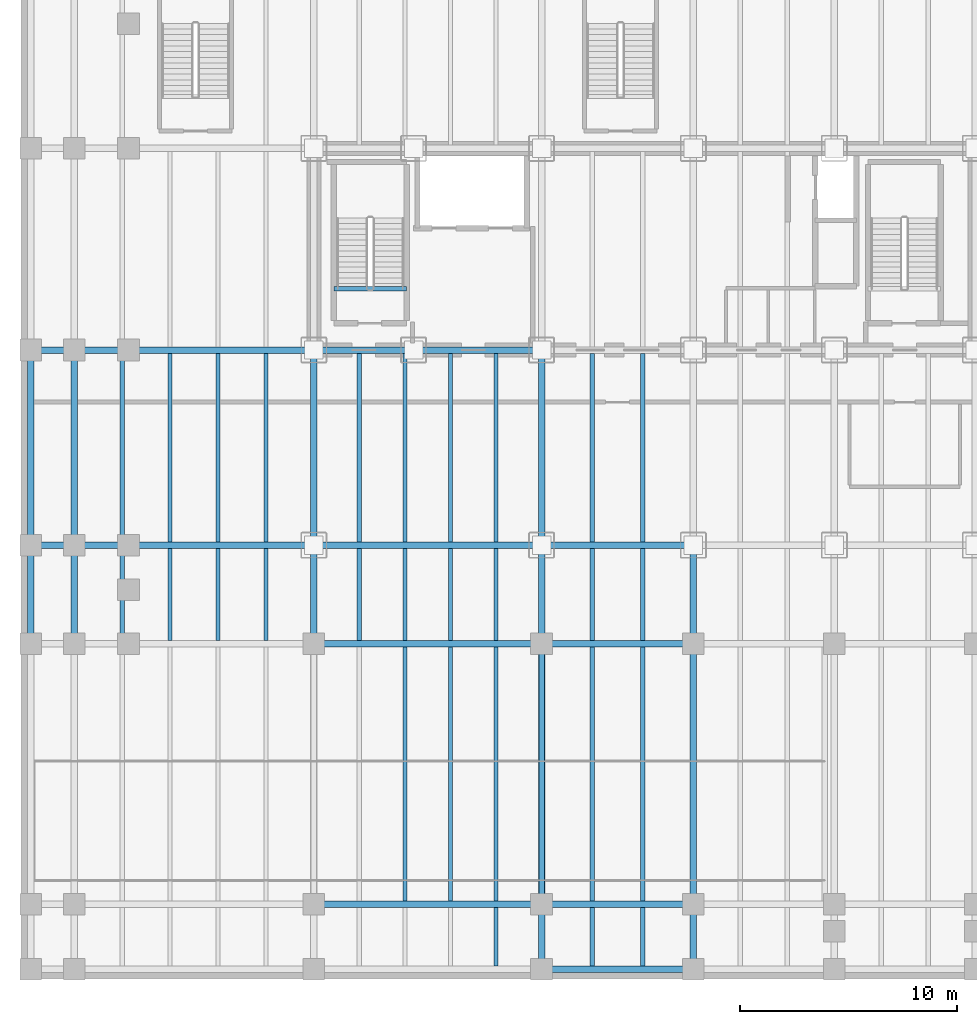
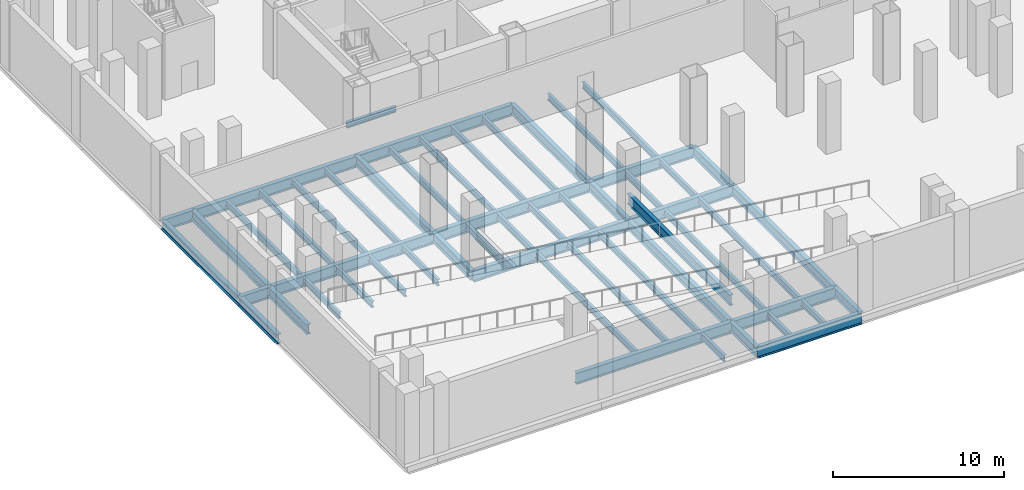
# One storey, part 2 of 18: 55 beams.
"""IFC4 building model written with IfcOpenShell, lengths in metres."""

import ifcopenshell
import ifcopenshell.guid

model = None  # the IFC model being written
_history = None  # IfcOwnerHistory: only IFC2X3 demands one
_inside = {}  # id of a spatial element -> (the spatial element, [elements in it])
_under = {}  # id of a project, library or spatial element -> (it, [spatial elements below it])
_declared = {}  # id of a project -> (the project, [libraries it declares])
_typed = {}  # id of a type object -> (the type object, [elements of that type])
_made_of = {}  # id of a material, layer set ... -> (it, [elements and type objects made of it])


def new_model(schema):
    """Start an empty IFC model of exactly this schema.

    Asked for "IFC4X3", IfcOpenShell would pick the latest addendum, in which some entities
    have other attributes; the version numbers below select the first issue.
    IFC2X3 requires an IfcOwnerHistory on every rooted entity: one is made here for all.
    """
    global model, _history
    if schema == "IFC4X3":
        model = ifcopenshell.file(schema_version=(4, 3, 0, 0))
    else:
        model = ifcopenshell.file(schema=schema)
    _inside.clear()
    _under.clear()
    _declared.clear()
    _typed.clear()
    _made_of.clear()
    _history = None
    if model.schema == "IFC2X3":
        org = make("IfcOrganization", Name="unknown")
        user = make(
            "IfcPersonAndOrganization",
            ThePerson=make("IfcPerson", FamilyName="unknown"),
            TheOrganization=org,
        )
        app = make(
            "IfcApplication",
            ApplicationDeveloper=org,
            Version="unknown",
            ApplicationFullName="unknown",
            ApplicationIdentifier="unknown",
        )
        _history = make(
            "IfcOwnerHistory",
            OwningUser=user,
            OwningApplication=app,
            ChangeAction="ADDED",
            CreationDate=0,
        )
    return model


def make(cls, **values):
    """One entity of the class cls with the attributes given. An attribute that is None is left unset."""
    return model.create_entity(
        cls, **{name: value for name, value in values.items() if value is not None}
    )


def rooted(cls, **values):
    """An entity with a GlobalId (a new one), such as an element, a storey or a relation."""
    return make(cls, GlobalId=ifcopenshell.guid.new(), OwnerHistory=_history, **values)


def si_unit(unit_type, name, prefix=None):
    """IfcSIUnit, for example si_unit("LENGTHUNIT", "METRE", prefix="MILLI")."""
    return make("IfcSIUnit", UnitType=unit_type, Prefix=prefix, Name=name)


def assignment(units):
    """IfcUnitAssignment: the units of a project."""
    return None if units is None else make("IfcUnitAssignment", Units=units)


def point(xyz):
    """IfcCartesianPoint."""
    return None if xyz is None else make("IfcCartesianPoint", Coordinates=xyz)


def direction(xyz):
    """IfcDirection."""
    return None if xyz is None else make("IfcDirection", DirectionRatios=xyz)


def frame(location, z_axis=None, x_axis=None):
    """IfcAxis2Placement3D, a coordinate frame: its origin and axes. An axis left out is left unset."""
    return make(
        "IfcAxis2Placement3D",
        Location=point(location),
        Axis=direction(z_axis),
        RefDirection=direction(x_axis),
    )


def frame_2d(location, x_axis=None):
    """IfcAxis2Placement2D, a coordinate frame in the plane: its origin and x axis."""
    return make(
        "IfcAxis2Placement2D", Location=point(location), RefDirection=direction(x_axis)
    )


def origin():
    """The frame at (0, 0, 0) with its axes left unset."""
    return frame((0.0, 0.0, 0.0))


def origin_2d():
    """The frame at (0, 0) in the plane with its x axis left unset."""
    return frame_2d((0.0, 0.0))


def place(relative_to, where):
    """IfcLocalPlacement: puts the frame where relative to a parent placement (None: the world)."""
    return make(
        "IfcLocalPlacement", PlacementRelTo=relative_to, RelativePlacement=where
    )


def context(
    kind, dimensions, precision=None, world=None, true_north=None, identifier=None
):
    """IfcGeometricRepresentationContext, for example the 3D "Model" context."""
    return make(
        "IfcGeometricRepresentationContext",
        ContextIdentifier=identifier,
        ContextType=kind,
        CoordinateSpaceDimension=dimensions,
        Precision=precision,
        WorldCoordinateSystem=world,
        TrueNorth=true_north,
    )


def subcontext(parent, identifier, kind, view, scale=None):
    """IfcGeometricRepresentationSubContext, for example "Body" below "Model"."""
    return make(
        "IfcGeometricRepresentationSubContext",
        ContextIdentifier=identifier,
        ContextType=kind,
        ParentContext=parent,
        TargetScale=scale,
        TargetView=view,
    )


def project(units=None, contexts=None):
    """IfcProject with its units and contexts."""
    return rooted(
        "IfcProject",
        Name="project",
        RepresentationContexts=contexts,
        UnitsInContext=assignment(units),
    )


def spatial(cls, under=None, at=None, **own):
    """A site, building, storey or space (cls), placed at a placement, below another one or the project."""
    s = rooted(cls, ObjectPlacement=at, **own)
    if under is not None:
        _under.setdefault(under.id(), (under, []))[1].append(s)
    return s


def profile(cls, at=None, kind="AREA", **sizes):
    """A parametric profile (cls). Its sizes go by their IFC names, for example OverallWidth=200.0."""
    return make(cls, ProfileType=kind, Position=at, **sizes)


def i_section(**sizes):
    """IfcIShapeProfileDef."""
    return profile("IfcIShapeProfileDef", **sizes)


def extrude(swept, where, along, depth):
    """IfcExtrudedAreaSolid: the profile swept, set in the frame where, extruded along a direction by depth."""
    return make(
        "IfcExtrudedAreaSolid",
        SweptArea=swept,
        Position=where,
        ExtrudedDirection=direction(along),
        Depth=depth,
    )


def shape(context_of_items, identifier, shape_type, items):
    """IfcShapeRepresentation: the items that make up one representation, for example the "Body"."""
    return make(
        "IfcShapeRepresentation",
        ContextOfItems=context_of_items,
        RepresentationIdentifier=identifier,
        RepresentationType=shape_type,
        Items=items,
    )


def material(Name=None, Category=None):
    """IfcMaterial."""
    return make("IfcMaterial", Name=Name, Category=Category)


def material_profile(
    of_material, cross_section, Name=None, Category=None, Priority=None
):
    """IfcMaterialProfile: a cross section and its material."""
    return make(
        "IfcMaterialProfile",
        Name=Name,
        Material=of_material,
        Profile=cross_section,
        Priority=Priority,
        Category=Category,
    )


def profile_set(profiles, Name=None, composite=None):
    """IfcMaterialProfileSet."""
    return make(
        "IfcMaterialProfileSet",
        Name=Name,
        MaterialProfiles=profiles,
        CompositeProfile=composite,
    )


def made_of(thing, what):
    """Note that an element or type object is made of a material, layer set ...; save() writes the relation."""
    if what is not None:
        _made_of.setdefault(what.id(), (what, []))[1].append(thing)
    return thing


def type_object(cls, material=None, **own):
    """A type object (cls), such as IfcWallType, which elements share."""
    return made_of(rooted(cls, **own), material)


def element(
    cls,
    number,
    at=None,
    inside=None,
    cuts=None,
    type_object=None,
    material=None,
    context=None,
    identifier="Body",
    shape_type=None,
    held_by="IfcProductDefinitionShape",
    body=None,
    shapes=None,
    **own,
):
    """One element of the class cls, such as IfcWall. Its Tag is "e" and its number.

    at: its placement. inside: the storey or other place that contains it. cuts: it is an
    opening in that element (IfcRelVoidsElement). A single representation is given by context,
    identifier, shape_type and body (its items); several are given by shapes. held_by: the class
    of the entity that holds the representations. save() writes the other relations.
    """
    e = rooted(cls, Tag="e%d" % number, ObjectPlacement=at, **own)
    if body is not None:
        shapes = [shape(context, identifier, shape_type, body)]
    if shapes is not None:
        e.Representation = make(held_by, Representations=shapes)
    if inside is not None:
        _inside.setdefault(inside.id(), (inside, []))[1].append(e)
    if cuts is not None:
        rooted(
            "IfcRelVoidsElement", RelatingBuildingElement=cuts, RelatedOpeningElement=e
        )
    if type_object is not None:
        _typed.setdefault(type_object.id(), (type_object, []))[1].append(e)
    return made_of(e, material)


def aggregate(whole, parts):
    """IfcRelAggregates: a whole, such as a stair, and the parts it consists of."""
    return rooted("IfcRelAggregates", RelatingObject=whole, RelatedObjects=parts)


def save(model, path):
    """Write the relations noted so far, then the file.

    IfcRelAggregates (storeys below a building ...), IfcRelContainedInSpatialStructure (elements
    in a storey), IfcRelDefinesByType, IfcRelAssociatesMaterial and IfcRelDeclares: one each for
    every whole, place, type object, material and project.
    """
    for whole, parts in _under.values():
        aggregate(whole, parts)
    for where, things in _inside.values():
        rooted(
            "IfcRelContainedInSpatialStructure",
            RelatedElements=things,
            RelatingStructure=where,
        )
    for kind, things in _typed.values():
        rooted("IfcRelDefinesByType", RelatedObjects=things, RelatingType=kind)
    for what, things in _made_of.values():
        rooted("IfcRelAssociatesMaterial", RelatedObjects=things, RelatingMaterial=what)
    for by, libraries in _declared.values():
        rooted("IfcRelDeclares", RelatingContext=by, RelatedDefinitions=libraries)
    model.write(path)


model = new_model("IFC4")

# Units and contexts
model_context = context("Model", 3, precision=1e-05, world=origin(), true_north=direction((0.0, 1.0)))
body_context = subcontext(model_context, "Body", "Model", "MODEL_VIEW")
ifc_project = project(units=[si_unit("LENGTHUNIT", "METRE"), si_unit("AREAUNIT", "SQUARE_METRE"), si_unit("VOLUMEUNIT", "CUBIC_METRE"), si_unit("PLANEANGLEUNIT", "RADIAN"), si_unit("MASSUNIT", "GRAM", prefix="KILO")], contexts=[model_context])

# Site, building, storey
site_placement = place(None, origin())
site = spatial("IfcSite", under=ifc_project, at=site_placement, CompositionType="ELEMENT")
building_placement = place(site_placement, origin())
building = spatial("IfcBuilding", under=site, at=building_placement, Name="Noeulbin Bourse Tower", CompositionType="ELEMENT")
storey_placement = place(building_placement, frame((0.0, 0.0, -5.0)))
storey = spatial("IfcBuildingStorey", under=building, at=storey_placement, Name="B01", CompositionType="ELEMENT", Elevation=-5.0)

# Beams
ifc_material = material(Name="Steel S355", Category="steel")
ifc_material_profile_1 = material_profile(ifc_material, i_section(OverallWidth=0.300048828125, OverallDepth=0.699951171875, WebThickness=0.012939453125, FlangeThickness=0.02392578125, FilletRadius=0.02392578125, at=origin_2d()), Name="H-700x300x13x24", Category="LoadBearing")
ifc_profile_set_1 = profile_set([ifc_material_profile_1], Name="Steel S355")
beam_type_1 = type_object("IfcBeamType", Name="BM-GRD-700", PredefinedType="USERDEFINED", material=ifc_profile_set_1)
beam_1_placement = place(storey_placement, frame((0.449951171875, 15.449951171875, -0.6298828125), z_axis=(0.0, 1.0, 0.0), x_axis=(-1.0, 0.0, 0.0)))
element("IfcBeam", 1, at=beam_1_placement, inside=storey, type_object=beam_type_1, Name="Podium Primary Girder NS B01-075", ObjectType="GIRDER", PredefinedType="USERDEFINED", context=body_context, shape_type="SweptSolid", body=[
    extrude(i_section(OverallWidth=0.300048828125, OverallDepth=0.699951171875, WebThickness=0.012939453125, FlangeThickness=0.02392578125, FilletRadius=0.02392578125, at=origin_2d()), origin(), (0.0, 0.0, 1.0), 4.550048828125),
])
beam_2_placement = place(storey_placement, frame((0.449951171875, 20.0, -0.6298828125), z_axis=(0.0, 1.0, 0.0), x_axis=(-1.0, 0.0, 0.0)))
element("IfcBeam", 2, at=beam_2_placement, inside=storey, type_object=beam_type_1, Name="Podium Primary Girder NS B01-076", ObjectType="GIRDER", PredefinedType="USERDEFINED", context=body_context, shape_type="SweptSolid", body=[
    extrude(i_section(OverallWidth=0.300048828125, OverallDepth=0.699951171875, WebThickness=0.012939453125, FlangeThickness=0.02392578125, FilletRadius=0.02392578125, at=origin_2d()), origin(), (0.0, 0.0, 1.0), 9.0),
])
beam_3_placement = place(storey_placement, frame((2.449951171875, 15.449951171875, -0.6298828125), z_axis=(0.0, 1.0, 0.0), x_axis=(-1.0, 0.0, 0.0)))
element("IfcBeam", 3, at=beam_3_placement, inside=storey, type_object=beam_type_1, Name="Podium Primary Girder NS B01-083", ObjectType="GIRDER", PredefinedType="USERDEFINED", context=body_context, shape_type="SweptSolid", body=[
    extrude(i_section(OverallWidth=0.300048828125, OverallDepth=0.699951171875, WebThickness=0.012939453125, FlangeThickness=0.02392578125, FilletRadius=0.02392578125, at=origin_2d()), origin(), (0.0, 0.0, 1.0), 4.550048828125),
])
beam_4_placement = place(storey_placement, frame((2.449951171875, 20.0, -0.6298828125), z_axis=(0.0, 1.0, 0.0), x_axis=(-1.0, 0.0, 0.0)))
element("IfcBeam", 4, at=beam_4_placement, inside=storey, type_object=beam_type_1, Name="Podium Primary Girder NS B01-084", ObjectType="GIRDER", PredefinedType="USERDEFINED", context=body_context, shape_type="SweptSolid", body=[
    extrude(i_section(OverallWidth=0.300048828125, OverallDepth=0.699951171875, WebThickness=0.012939453125, FlangeThickness=0.02392578125, FilletRadius=0.02392578125, at=origin_2d()), origin(), (0.0, 0.0, 1.0), 9.0),
])
beam_5_placement = place(storey_placement, frame((13.5, 15.449951171875, -0.6298828125), z_axis=(0.0, 1.0, 0.0), x_axis=(-1.0, 0.0, 0.0)))
element("IfcBeam", 5, at=beam_5_placement, inside=storey, type_object=beam_type_1, Name="Podium Primary Girder NS B01-091", ObjectType="GIRDER", PredefinedType="USERDEFINED", context=body_context, shape_type="SweptSolid", body=[
    extrude(i_section(OverallWidth=0.300048828125, OverallDepth=0.699951171875, WebThickness=0.012939453125, FlangeThickness=0.02392578125, FilletRadius=0.02392578125, at=origin_2d()), origin(), (0.0, 0.0, 1.0), 4.550048828125),
])
beam_6_placement = place(storey_placement, frame((13.5, 20.0, -0.6298828125), z_axis=(0.0, 1.0, 0.0), x_axis=(-1.0, 0.0, 0.0)))
element("IfcBeam", 6, at=beam_6_placement, inside=storey, type_object=beam_type_1, Name="Podium Primary Girder NS B01-092", ObjectType="GIRDER", PredefinedType="USERDEFINED", context=body_context, shape_type="SweptSolid", body=[
    extrude(i_section(OverallWidth=0.300048828125, OverallDepth=0.699951171875, WebThickness=0.012939453125, FlangeThickness=0.02392578125, FilletRadius=0.02392578125, at=origin_2d()), origin(), (0.0, 0.0, 1.0), 9.0),
])
beam_7_placement = place(storey_placement, frame((24.0, 0.449951171875, -0.6298828125), z_axis=(0.0, 1.0, 0.0), x_axis=(-1.0, 0.0, 0.0)))
element("IfcBeam", 7, at=beam_7_placement, inside=storey, type_object=beam_type_1, Name="Podium Primary Girder NS B01-097", ObjectType="GIRDER", PredefinedType="USERDEFINED", context=body_context, shape_type="SweptSolid", body=[
    extrude(i_section(OverallWidth=0.300048828125, OverallDepth=0.699951171875, WebThickness=0.012939453125, FlangeThickness=0.02392578125, FilletRadius=0.02392578125, at=origin_2d()), origin(), (0.0, 0.0, 1.0), 3.0),
])
beam_8_placement = place(storey_placement, frame((24.0, 3.449951171875, -0.6298828125), z_axis=(0.0, 1.0, 0.0), x_axis=(-1.0, 0.0, 0.0)))
element("IfcBeam", 8, at=beam_8_placement, inside=storey, type_object=beam_type_1, Name="Podium Primary Girder NS B01-098", ObjectType="GIRDER", PredefinedType="USERDEFINED", context=body_context, shape_type="SweptSolid", body=[
    extrude(i_section(OverallWidth=0.300048828125, OverallDepth=0.699951171875, WebThickness=0.012939453125, FlangeThickness=0.02392578125, FilletRadius=0.02392578125, at=origin_2d()), origin(), (0.0, 0.0, 1.0), 12.0),
])
beam_9_placement = place(storey_placement, frame((24.0, 15.449951171875, -0.6298828125), z_axis=(0.0, 1.0, 0.0), x_axis=(-1.0, 0.0, 0.0)))
element("IfcBeam", 9, at=beam_9_placement, inside=storey, type_object=beam_type_1, Name="Podium Primary Girder NS B01-099", ObjectType="GIRDER", PredefinedType="USERDEFINED", context=body_context, shape_type="SweptSolid", body=[
    extrude(i_section(OverallWidth=0.300048828125, OverallDepth=0.699951171875, WebThickness=0.012939453125, FlangeThickness=0.02392578125, FilletRadius=0.02392578125, at=origin_2d()), origin(), (0.0, 0.0, 1.0), 4.550048828125),
])
beam_10_placement = place(storey_placement, frame((24.0, 20.0, -0.6298828125), z_axis=(0.0, 1.0, 0.0), x_axis=(-1.0, 0.0, 0.0)))
element("IfcBeam", 10, at=beam_10_placement, inside=storey, type_object=beam_type_1, Name="Podium Primary Girder NS B01-100", ObjectType="GIRDER", PredefinedType="USERDEFINED", context=body_context, shape_type="SweptSolid", body=[
    extrude(i_section(OverallWidth=0.300048828125, OverallDepth=0.699951171875, WebThickness=0.012939453125, FlangeThickness=0.02392578125, FilletRadius=0.02392578125, at=origin_2d()), origin(), (0.0, 0.0, 1.0), 9.0),
])
beam_11_placement = place(storey_placement, frame((31.0, 0.449951171875, -0.6298828125), z_axis=(0.0, 1.0, 0.0), x_axis=(-1.0, 0.0, 0.0)))
element("IfcBeam", 11, at=beam_11_placement, inside=storey, type_object=beam_type_1, Name="Podium Primary Girder NS B01-105", ObjectType="GIRDER", PredefinedType="USERDEFINED", context=body_context, shape_type="SweptSolid", body=[
    extrude(i_section(OverallWidth=0.300048828125, OverallDepth=0.699951171875, WebThickness=0.012939453125, FlangeThickness=0.02392578125, FilletRadius=0.02392578125, at=origin_2d()), origin(), (0.0, 0.0, 1.0), 3.0),
])
beam_12_placement = place(storey_placement, frame((31.0, 3.449951171875, -0.6298828125), z_axis=(0.0, 1.0, 0.0), x_axis=(-1.0, 0.0, 0.0)))
element("IfcBeam", 12, at=beam_12_placement, inside=storey, type_object=beam_type_1, Name="Podium Primary Girder NS B01-106", ObjectType="GIRDER", PredefinedType="USERDEFINED", context=body_context, shape_type="SweptSolid", body=[
    extrude(i_section(OverallWidth=0.300048828125, OverallDepth=0.699951171875, WebThickness=0.012939453125, FlangeThickness=0.02392578125, FilletRadius=0.02392578125, at=origin_2d()), origin(), (0.0, 0.0, 1.0), 12.0),
])
beam_13_placement = place(storey_placement, frame((31.0, 15.449951171875, -0.6298828125), z_axis=(0.0, 1.0, 0.0), x_axis=(-1.0, 0.0, 0.0)))
element("IfcBeam", 13, at=beam_13_placement, inside=storey, type_object=beam_type_1, Name="Podium Primary Girder NS B01-107", ObjectType="GIRDER", PredefinedType="USERDEFINED", context=body_context, shape_type="SweptSolid", body=[
    extrude(i_section(OverallWidth=0.300048828125, OverallDepth=0.699951171875, WebThickness=0.012939453125, FlangeThickness=0.02392578125, FilletRadius=0.02392578125, at=origin_2d()), origin(), (0.0, 0.0, 1.0), 4.550048828125),
])
ifc_material_profile_2 = material_profile(ifc_material, i_section(OverallWidth=0.25, OverallDepth=0.75, WebThickness=0.012939453125, FlangeThickness=0.02392578125, FilletRadius=0.02392578125, at=origin_2d()), Name="H-750x250x13x24", Category="LoadBearing")
ifc_profile_set_2 = profile_set([ifc_material_profile_2], Name="Steel S355")
beam_type_2 = type_object("IfcBeamType", Name="BM-GRD-750", PredefinedType="USERDEFINED", material=ifc_profile_set_2)
beam_14_placement = place(storey_placement, frame((24.0, 3.449951171875, 1.175048828125), z_axis=(0.0, 1.0, 0.0), x_axis=(-1.0, 0.0, 0.0)))
element("IfcBeam", 14, at=beam_14_placement, inside=storey, type_object=beam_type_2, Name="BM-B01-RMP-MID2", ObjectType="GIRDER", PredefinedType="USERDEFINED", context=body_context, shape_type="SweptSolid", body=[
    extrude(i_section(OverallWidth=0.25, OverallDepth=0.75, WebThickness=0.012939453125, FlangeThickness=0.02392578125, FilletRadius=0.02392578125, at=origin_2d()), origin(), (0.0, 0.0, 1.0), 12.0),
])
ifc_material_profile_3 = material_profile(ifc_material, i_section(OverallWidth=0.300048828125, OverallDepth=0.800048828125, WebThickness=0.013916015625, FlangeThickness=0.02587890625, FilletRadius=0.02587890625, at=origin_2d()), Name="H-800x300x14x26", Category="LoadBearing")
ifc_profile_set_3 = profile_set([ifc_material_profile_3], Name="Steel S355")
beam_type_3 = type_object("IfcBeamType", Name="BM-GRD-800", PredefinedType="USERDEFINED", material=ifc_profile_set_3)
beam_15_placement = place(storey_placement, frame((24.0, 0.449951171875, -0.679931640625), z_axis=(1.0, 0.0, 0.0), x_axis=(0.0, 1.0, 0.0)))
element("IfcBeam", 15, at=beam_15_placement, inside=storey, type_object=beam_type_3, Name="Podium Primary Girder EW B01-004", ObjectType="GIRDER", PredefinedType="USERDEFINED", context=body_context, shape_type="SweptSolid", body=[
    extrude(i_section(OverallWidth=0.300048828125, OverallDepth=0.800048828125, WebThickness=0.013916015625, FlangeThickness=0.02587890625, FilletRadius=0.02587890625, at=origin_2d()), origin(), (0.0, 0.0, 1.0), 7.0),
])
beam_16_placement = place(storey_placement, frame((13.5, 3.449951171875, -0.679931640625), z_axis=(1.0, 0.0, 0.0), x_axis=(0.0, 1.0, 0.0)))
element("IfcBeam", 16, at=beam_16_placement, inside=storey, type_object=beam_type_3, Name="Podium Primary Girder EW B01-011", ObjectType="GIRDER", PredefinedType="USERDEFINED", context=body_context, shape_type="SweptSolid", body=[
    extrude(i_section(OverallWidth=0.300048828125, OverallDepth=0.800048828125, WebThickness=0.013916015625, FlangeThickness=0.02587890625, FilletRadius=0.02587890625, at=origin_2d()), origin(), (0.0, 0.0, 1.0), 10.5),
])
beam_17_placement = place(storey_placement, frame((24.0, 3.449951171875, -0.679931640625), z_axis=(1.0, 0.0, 0.0), x_axis=(0.0, 1.0, 0.0)))
element("IfcBeam", 17, at=beam_17_placement, inside=storey, type_object=beam_type_3, Name="Podium Primary Girder EW B01-012", ObjectType="GIRDER", PredefinedType="USERDEFINED", context=body_context, shape_type="SweptSolid", body=[
    extrude(i_section(OverallWidth=0.300048828125, OverallDepth=0.800048828125, WebThickness=0.013916015625, FlangeThickness=0.02587890625, FilletRadius=0.02587890625, at=origin_2d()), origin(), (0.0, 0.0, 1.0), 7.0),
])
beam_18_placement = place(storey_placement, frame((13.5, 15.449951171875, -0.679931640625), z_axis=(1.0, 0.0, 0.0), x_axis=(0.0, 1.0, 0.0)))
element("IfcBeam", 18, at=beam_18_placement, inside=storey, type_object=beam_type_3, Name="Podium Primary Girder EW B01-019", ObjectType="GIRDER", PredefinedType="USERDEFINED", context=body_context, shape_type="SweptSolid", body=[
    extrude(i_section(OverallWidth=0.300048828125, OverallDepth=0.800048828125, WebThickness=0.013916015625, FlangeThickness=0.02587890625, FilletRadius=0.02587890625, at=origin_2d()), origin(), (0.0, 0.0, 1.0), 10.5),
])
beam_19_placement = place(storey_placement, frame((24.0, 15.449951171875, -0.679931640625), z_axis=(1.0, 0.0, 0.0), x_axis=(0.0, 1.0, 0.0)))
element("IfcBeam", 19, at=beam_19_placement, inside=storey, type_object=beam_type_3, Name="Podium Primary Girder EW B01-020", ObjectType="GIRDER", PredefinedType="USERDEFINED", context=body_context, shape_type="SweptSolid", body=[
    extrude(i_section(OverallWidth=0.300048828125, OverallDepth=0.800048828125, WebThickness=0.013916015625, FlangeThickness=0.02587890625, FilletRadius=0.02587890625, at=origin_2d()), origin(), (0.0, 0.0, 1.0), 7.0),
])
beam_20_placement = place(storey_placement, frame((0.449951171875, 20.0, -0.679931640625), z_axis=(1.0, 0.0, 0.0), x_axis=(0.0, 1.0, 0.0)))
element("IfcBeam", 20, at=beam_20_placement, inside=storey, type_object=beam_type_3, Name="Podium Primary Girder EW B01-025", ObjectType="GIRDER", PredefinedType="USERDEFINED", context=body_context, shape_type="SweptSolid", body=[
    extrude(i_section(OverallWidth=0.300048828125, OverallDepth=0.800048828125, WebThickness=0.013916015625, FlangeThickness=0.02587890625, FilletRadius=0.02587890625, at=origin_2d()), origin(), (0.0, 0.0, 1.0), 2.0),
])
beam_21_placement = place(storey_placement, frame((2.449951171875, 20.0, -0.679931640625), z_axis=(1.0, 0.0, 0.0), x_axis=(0.0, 1.0, 0.0)))
element("IfcBeam", 21, at=beam_21_placement, inside=storey, type_object=beam_type_3, Name="Podium Primary Girder EW B01-026", ObjectType="GIRDER", PredefinedType="USERDEFINED", context=body_context, shape_type="SweptSolid", body=[
    extrude(i_section(OverallWidth=0.300048828125, OverallDepth=0.800048828125, WebThickness=0.013916015625, FlangeThickness=0.02587890625, FilletRadius=0.02587890625, at=origin_2d()), origin(), (0.0, 0.0, 1.0), 11.050048828125),
])
beam_22_placement = place(storey_placement, frame((13.5, 20.0, -0.679931640625), z_axis=(1.0, 0.0, 0.0), x_axis=(0.0, 1.0, 0.0)))
element("IfcBeam", 22, at=beam_22_placement, inside=storey, type_object=beam_type_3, Name="Podium Primary Girder EW B01-027", ObjectType="GIRDER", PredefinedType="USERDEFINED", context=body_context, shape_type="SweptSolid", body=[
    extrude(i_section(OverallWidth=0.300048828125, OverallDepth=0.800048828125, WebThickness=0.013916015625, FlangeThickness=0.02587890625, FilletRadius=0.02587890625, at=origin_2d()), origin(), (0.0, 0.0, 1.0), 10.5),
])
beam_23_placement = place(storey_placement, frame((24.0, 20.0, -0.679931640625), z_axis=(1.0, 0.0, 0.0), x_axis=(0.0, 1.0, 0.0)))
element("IfcBeam", 23, at=beam_23_placement, inside=storey, type_object=beam_type_3, Name="Podium Primary Girder EW B01-028", ObjectType="GIRDER", PredefinedType="USERDEFINED", context=body_context, shape_type="SweptSolid", body=[
    extrude(i_section(OverallWidth=0.300048828125, OverallDepth=0.800048828125, WebThickness=0.013916015625, FlangeThickness=0.02587890625, FilletRadius=0.02587890625, at=origin_2d()), origin(), (0.0, 0.0, 1.0), 7.0),
])
beam_24_placement = place(storey_placement, frame((0.449951171875, 29.0, -0.679931640625), z_axis=(1.0, 0.0, 0.0), x_axis=(0.0, 1.0, 0.0)))
element("IfcBeam", 24, at=beam_24_placement, inside=storey, type_object=beam_type_3, Name="Podium Primary Girder EW B01-033", ObjectType="GIRDER", PredefinedType="USERDEFINED", context=body_context, shape_type="SweptSolid", body=[
    extrude(i_section(OverallWidth=0.300048828125, OverallDepth=0.800048828125, WebThickness=0.013916015625, FlangeThickness=0.02587890625, FilletRadius=0.02587890625, at=origin_2d()), origin(), (0.0, 0.0, 1.0), 2.0),
])
beam_25_placement = place(storey_placement, frame((2.449951171875, 29.0, -0.679931640625), z_axis=(1.0, 0.0, 0.0), x_axis=(0.0, 1.0, 0.0)))
element("IfcBeam", 25, at=beam_25_placement, inside=storey, type_object=beam_type_3, Name="Podium Primary Girder EW B01-034", ObjectType="GIRDER", PredefinedType="USERDEFINED", context=body_context, shape_type="SweptSolid", body=[
    extrude(i_section(OverallWidth=0.300048828125, OverallDepth=0.800048828125, WebThickness=0.013916015625, FlangeThickness=0.02587890625, FilletRadius=0.02587890625, at=origin_2d()), origin(), (0.0, 0.0, 1.0), 11.050048828125),
])
beam_26_placement = place(storey_placement, frame((13.5, 29.0, -0.679931640625), z_axis=(1.0, 0.0, 0.0), x_axis=(0.0, 1.0, 0.0)))
element("IfcBeam", 26, at=beam_26_placement, inside=storey, type_object=beam_type_3, Name="Podium Primary Girder EW B01-035", ObjectType="GIRDER", PredefinedType="USERDEFINED", context=body_context, shape_type="SweptSolid", body=[
    extrude(i_section(OverallWidth=0.300048828125, OverallDepth=0.800048828125, WebThickness=0.013916015625, FlangeThickness=0.02587890625, FilletRadius=0.02587890625, at=origin_2d()), origin(), (0.0, 0.0, 1.0), 10.5),
])
ifc_material_profile_4 = material_profile(ifc_material, i_section(OverallWidth=0.199951171875, OverallDepth=0.39990234375, WebThickness=0.008056640625, FlangeThickness=0.012939453125, FilletRadius=0.01611328125, at=origin_2d()), Name="H-400x200x8x13", Category="LoadBearing")
ifc_profile_set_4 = profile_set([ifc_material_profile_4], Name="Steel S355")
beam_type_4 = type_object("IfcBeamType", Name="BM-SEC-400", PredefinedType="BEAM", material=ifc_profile_set_4)
beam_27_placement = place(storey_placement, frame((14.429931640625, 31.820068359375, -0.199951171875), z_axis=(1.0, 0.0, 0.0), x_axis=(0.0, 1.0, 0.0)))
element("IfcBeam", 27, at=beam_27_placement, inside=storey, type_object=beam_type_4, Name="Stair Threshold Trimmer Beam ST1-B01", PredefinedType="BEAM", context=body_context, shape_type="SweptSolid", body=[
    extrude(i_section(OverallWidth=0.199951171875, OverallDepth=0.39990234375, WebThickness=0.008056640625, FlangeThickness=0.012939453125, FilletRadius=0.01611328125, at=origin_2d()), origin(), (0.0, 0.0, 1.0), 3.340087890625),
])
ifc_material_profile_5 = material_profile(ifc_material, i_section(OverallWidth=0.199951171875, OverallDepth=0.449951171875, WebThickness=0.009033203125, FlangeThickness=0.013916015625, FilletRadius=0.01806640625, at=origin_2d()), Name="H-450x200x9x14", Category="LoadBearing")
ifc_profile_set_5 = profile_set([ifc_material_profile_5], Name="Steel S355")
beam_type_5 = type_object("IfcBeamType", Name="BM-SEC-450", PredefinedType="BEAM", material=ifc_profile_set_5)
beam_28_placement = place(storey_placement, frame((4.659912109375, 15.60009765625, -0.5048828125), z_axis=(0.0, 1.0, 0.0), x_axis=(-1.0, 0.0, 0.0)))
element("IfcBeam", 28, at=beam_28_placement, inside=storey, type_object=beam_type_5, Name="Podium Secondary Beam B01-003", PredefinedType="BEAM", context=body_context, shape_type="SweptSolid", body=[
    extrude(i_section(OverallWidth=0.199951171875, OverallDepth=0.449951171875, WebThickness=0.009033203125, FlangeThickness=0.013916015625, FilletRadius=0.01806640625, at=origin_2d()), origin(), (0.0, 0.0, 1.0), 4.25),
])
beam_29_placement = place(storey_placement, frame((4.659912109375, 20.14990234375, -0.5048828125), z_axis=(0.0, 1.0, 0.0), x_axis=(-1.0, 0.0, 0.0)))
element("IfcBeam", 29, at=beam_29_placement, inside=storey, type_object=beam_type_5, Name="Podium Secondary Beam B01-004", PredefinedType="BEAM", context=body_context, shape_type="SweptSolid", body=[
    extrude(i_section(OverallWidth=0.199951171875, OverallDepth=0.449951171875, WebThickness=0.009033203125, FlangeThickness=0.013916015625, FilletRadius=0.01806640625, at=origin_2d()), origin(), (0.0, 0.0, 1.0), 8.7001953125),
])
beam_30_placement = place(storey_placement, frame((6.8701171875, 15.60009765625, -0.5048828125), z_axis=(0.0, 1.0, 0.0), x_axis=(-1.0, 0.0, 0.0)))
element("IfcBeam", 30, at=beam_30_placement, inside=storey, type_object=beam_type_5, Name="Podium Secondary Beam B01-011", PredefinedType="BEAM", context=body_context, shape_type="SweptSolid", body=[
    extrude(i_section(OverallWidth=0.199951171875, OverallDepth=0.449951171875, WebThickness=0.009033203125, FlangeThickness=0.013916015625, FilletRadius=0.01806640625, at=origin_2d()), origin(), (0.0, 0.0, 1.0), 4.25),
])
beam_31_placement = place(storey_placement, frame((6.8701171875, 20.14990234375, -0.5048828125), z_axis=(0.0, 1.0, 0.0), x_axis=(-1.0, 0.0, 0.0)))
element("IfcBeam", 31, at=beam_31_placement, inside=storey, type_object=beam_type_5, Name="Podium Secondary Beam B01-012", PredefinedType="BEAM", context=body_context, shape_type="SweptSolid", body=[
    extrude(i_section(OverallWidth=0.199951171875, OverallDepth=0.449951171875, WebThickness=0.009033203125, FlangeThickness=0.013916015625, FilletRadius=0.01806640625, at=origin_2d()), origin(), (0.0, 0.0, 1.0), 8.7001953125),
])
beam_32_placement = place(storey_placement, frame((9.080078125, 15.60009765625, -0.5048828125), z_axis=(0.0, 1.0, 0.0), x_axis=(-1.0, 0.0, 0.0)))
element("IfcBeam", 32, at=beam_32_placement, inside=storey, type_object=beam_type_5, Name="Podium Secondary Beam B01-018", PredefinedType="BEAM", context=body_context, shape_type="SweptSolid", body=[
    extrude(i_section(OverallWidth=0.199951171875, OverallDepth=0.449951171875, WebThickness=0.009033203125, FlangeThickness=0.013916015625, FilletRadius=0.01806640625, at=origin_2d()), origin(), (0.0, 0.0, 1.0), 4.25),
])
beam_33_placement = place(storey_placement, frame((9.080078125, 20.14990234375, -0.5048828125), z_axis=(0.0, 1.0, 0.0), x_axis=(-1.0, 0.0, 0.0)))
element("IfcBeam", 33, at=beam_33_placement, inside=storey, type_object=beam_type_5, Name="Podium Secondary Beam B01-019", PredefinedType="BEAM", context=body_context, shape_type="SweptSolid", body=[
    extrude(i_section(OverallWidth=0.199951171875, OverallDepth=0.449951171875, WebThickness=0.009033203125, FlangeThickness=0.013916015625, FilletRadius=0.01806640625, at=origin_2d()), origin(), (0.0, 0.0, 1.0), 8.7001953125),
])
beam_34_placement = place(storey_placement, frame((11.2900390625, 15.60009765625, -0.5048828125), z_axis=(0.0, 1.0, 0.0), x_axis=(-1.0, 0.0, 0.0)))
element("IfcBeam", 34, at=beam_34_placement, inside=storey, type_object=beam_type_5, Name="Podium Secondary Beam B01-025", PredefinedType="BEAM", context=body_context, shape_type="SweptSolid", body=[
    extrude(i_section(OverallWidth=0.199951171875, OverallDepth=0.449951171875, WebThickness=0.009033203125, FlangeThickness=0.013916015625, FilletRadius=0.01806640625, at=origin_2d()), origin(), (0.0, 0.0, 1.0), 4.25),
])
beam_35_placement = place(storey_placement, frame((11.2900390625, 20.14990234375, -0.5048828125), z_axis=(0.0, 1.0, 0.0), x_axis=(-1.0, 0.0, 0.0)))
element("IfcBeam", 35, at=beam_35_placement, inside=storey, type_object=beam_type_5, Name="Podium Secondary Beam B01-026", PredefinedType="BEAM", context=body_context, shape_type="SweptSolid", body=[
    extrude(i_section(OverallWidth=0.199951171875, OverallDepth=0.449951171875, WebThickness=0.009033203125, FlangeThickness=0.013916015625, FilletRadius=0.01806640625, at=origin_2d()), origin(), (0.0, 0.0, 1.0), 8.7001953125),
])
beam_36_placement = place(storey_placement, frame((15.60009765625, 15.60009765625, -0.5048828125), z_axis=(0.0, 1.0, 0.0), x_axis=(-1.0, 0.0, 0.0)))
element("IfcBeam", 36, at=beam_36_placement, inside=storey, type_object=beam_type_5, Name="Podium Secondary Beam B01-033", PredefinedType="BEAM", context=body_context, shape_type="SweptSolid", body=[
    extrude(i_section(OverallWidth=0.199951171875, OverallDepth=0.449951171875, WebThickness=0.009033203125, FlangeThickness=0.013916015625, FilletRadius=0.01806640625, at=origin_2d()), origin(), (0.0, 0.0, 1.0), 4.25),
])
beam_37_placement = place(storey_placement, frame((15.60009765625, 20.14990234375, -0.5048828125), z_axis=(0.0, 1.0, 0.0), x_axis=(-1.0, 0.0, 0.0)))
element("IfcBeam", 37, at=beam_37_placement, inside=storey, type_object=beam_type_5, Name="Podium Secondary Beam B01-034", PredefinedType="BEAM", context=body_context, shape_type="SweptSolid", body=[
    extrude(i_section(OverallWidth=0.199951171875, OverallDepth=0.449951171875, WebThickness=0.009033203125, FlangeThickness=0.013916015625, FilletRadius=0.01806640625, at=origin_2d()), origin(), (0.0, 0.0, 1.0), 8.7001953125),
])
beam_38_placement = place(storey_placement, frame((17.699951171875, 3.60009765625, -0.5048828125), z_axis=(0.0, 1.0, 0.0), x_axis=(-1.0, 0.0, 0.0)))
element("IfcBeam", 38, at=beam_38_placement, inside=storey, type_object=beam_type_5, Name="Podium Secondary Beam B01-039", PredefinedType="BEAM", context=body_context, shape_type="SweptSolid", body=[
    extrude(i_section(OverallWidth=0.199951171875, OverallDepth=0.449951171875, WebThickness=0.009033203125, FlangeThickness=0.013916015625, FilletRadius=0.01806640625, at=origin_2d()), origin(), (0.0, 0.0, 1.0), 11.699951171875),
])
beam_39_placement = place(storey_placement, frame((17.699951171875, 15.60009765625, -0.5048828125), z_axis=(0.0, 1.0, 0.0), x_axis=(-1.0, 0.0, 0.0)))
element("IfcBeam", 39, at=beam_39_placement, inside=storey, type_object=beam_type_5, Name="Podium Secondary Beam B01-040", PredefinedType="BEAM", context=body_context, shape_type="SweptSolid", body=[
    extrude(i_section(OverallWidth=0.199951171875, OverallDepth=0.449951171875, WebThickness=0.009033203125, FlangeThickness=0.013916015625, FilletRadius=0.01806640625, at=origin_2d()), origin(), (0.0, 0.0, 1.0), 4.25),
])
beam_40_placement = place(storey_placement, frame((17.699951171875, 20.14990234375, -0.5048828125), z_axis=(0.0, 1.0, 0.0), x_axis=(-1.0, 0.0, 0.0)))
element("IfcBeam", 40, at=beam_40_placement, inside=storey, type_object=beam_type_5, Name="Podium Secondary Beam B01-041", PredefinedType="BEAM", context=body_context, shape_type="SweptSolid", body=[
    extrude(i_section(OverallWidth=0.199951171875, OverallDepth=0.449951171875, WebThickness=0.009033203125, FlangeThickness=0.013916015625, FilletRadius=0.01806640625, at=origin_2d()), origin(), (0.0, 0.0, 1.0), 8.7001953125),
])
beam_41_placement = place(storey_placement, frame((19.800048828125, 3.60009765625, -0.5048828125), z_axis=(0.0, 1.0, 0.0), x_axis=(-1.0, 0.0, 0.0)))
element("IfcBeam", 41, at=beam_41_placement, inside=storey, type_object=beam_type_5, Name="Podium Secondary Beam B01-046", PredefinedType="BEAM", context=body_context, shape_type="SweptSolid", body=[
    extrude(i_section(OverallWidth=0.199951171875, OverallDepth=0.449951171875, WebThickness=0.009033203125, FlangeThickness=0.013916015625, FilletRadius=0.01806640625, at=origin_2d()), origin(), (0.0, 0.0, 1.0), 11.699951171875),
])
beam_42_placement = place(storey_placement, frame((19.800048828125, 15.60009765625, -0.5048828125), z_axis=(0.0, 1.0, 0.0), x_axis=(-1.0, 0.0, 0.0)))
element("IfcBeam", 42, at=beam_42_placement, inside=storey, type_object=beam_type_5, Name="Podium Secondary Beam B01-047", PredefinedType="BEAM", context=body_context, shape_type="SweptSolid", body=[
    extrude(i_section(OverallWidth=0.199951171875, OverallDepth=0.449951171875, WebThickness=0.009033203125, FlangeThickness=0.013916015625, FilletRadius=0.01806640625, at=origin_2d()), origin(), (0.0, 0.0, 1.0), 4.25),
])
beam_43_placement = place(storey_placement, frame((19.800048828125, 20.14990234375, -0.5048828125), z_axis=(0.0, 1.0, 0.0), x_axis=(-1.0, 0.0, 0.0)))
element("IfcBeam", 43, at=beam_43_placement, inside=storey, type_object=beam_type_5, Name="Podium Secondary Beam B01-048", PredefinedType="BEAM", context=body_context, shape_type="SweptSolid", body=[
    extrude(i_section(OverallWidth=0.199951171875, OverallDepth=0.449951171875, WebThickness=0.009033203125, FlangeThickness=0.013916015625, FilletRadius=0.01806640625, at=origin_2d()), origin(), (0.0, 0.0, 1.0), 8.7001953125),
])
beam_44_placement = place(storey_placement, frame((21.89990234375, 0.60009765625, -0.5048828125), z_axis=(0.0, 1.0, 0.0), x_axis=(-1.0, 0.0, 0.0)))
element("IfcBeam", 44, at=beam_44_placement, inside=storey, type_object=beam_type_5, Name="Podium Secondary Beam B01-052", PredefinedType="BEAM", context=body_context, shape_type="SweptSolid", body=[
    extrude(i_section(OverallWidth=0.199951171875, OverallDepth=0.449951171875, WebThickness=0.009033203125, FlangeThickness=0.013916015625, FilletRadius=0.01806640625, at=origin_2d()), origin(), (0.0, 0.0, 1.0), 2.699951171875),
])
beam_45_placement = place(storey_placement, frame((21.89990234375, 3.60009765625, -0.5048828125), z_axis=(0.0, 1.0, 0.0), x_axis=(-1.0, 0.0, 0.0)))
element("IfcBeam", 45, at=beam_45_placement, inside=storey, type_object=beam_type_5, Name="Podium Secondary Beam B01-053", PredefinedType="BEAM", context=body_context, shape_type="SweptSolid", body=[
    extrude(i_section(OverallWidth=0.199951171875, OverallDepth=0.449951171875, WebThickness=0.009033203125, FlangeThickness=0.013916015625, FilletRadius=0.01806640625, at=origin_2d()), origin(), (0.0, 0.0, 1.0), 11.699951171875),
])
beam_46_placement = place(storey_placement, frame((21.89990234375, 15.60009765625, -0.5048828125), z_axis=(0.0, 1.0, 0.0), x_axis=(-1.0, 0.0, 0.0)))
element("IfcBeam", 46, at=beam_46_placement, inside=storey, type_object=beam_type_5, Name="Podium Secondary Beam B01-054", PredefinedType="BEAM", context=body_context, shape_type="SweptSolid", body=[
    extrude(i_section(OverallWidth=0.199951171875, OverallDepth=0.449951171875, WebThickness=0.009033203125, FlangeThickness=0.013916015625, FilletRadius=0.01806640625, at=origin_2d()), origin(), (0.0, 0.0, 1.0), 4.25),
])
beam_47_placement = place(storey_placement, frame((21.89990234375, 20.14990234375, -0.5048828125), z_axis=(0.0, 1.0, 0.0), x_axis=(-1.0, 0.0, 0.0)))
element("IfcBeam", 47, at=beam_47_placement, inside=storey, type_object=beam_type_5, Name="Podium Secondary Beam B01-055", PredefinedType="BEAM", context=body_context, shape_type="SweptSolid", body=[
    extrude(i_section(OverallWidth=0.199951171875, OverallDepth=0.449951171875, WebThickness=0.009033203125, FlangeThickness=0.013916015625, FilletRadius=0.01806640625, at=origin_2d()), origin(), (0.0, 0.0, 1.0), 8.7001953125),
])
beam_48_placement = place(storey_placement, frame((26.333251953125, 0.60009765625, -0.5048828125), z_axis=(0.0, 1.0, 0.0), x_axis=(-1.0, 0.0, 0.0)))
element("IfcBeam", 48, at=beam_48_placement, inside=storey, type_object=beam_type_5, Name="Podium Secondary Beam B01-059", PredefinedType="BEAM", context=body_context, shape_type="SweptSolid", body=[
    extrude(i_section(OverallWidth=0.199951171875, OverallDepth=0.449951171875, WebThickness=0.009033203125, FlangeThickness=0.013916015625, FilletRadius=0.01806640625, at=origin_2d()), origin(), (0.0, 0.0, 1.0), 2.699951171875),
])
beam_49_placement = place(storey_placement, frame((26.333251953125, 3.60009765625, -0.5048828125), z_axis=(0.0, 1.0, 0.0), x_axis=(-1.0, 0.0, 0.0)))
element("IfcBeam", 49, at=beam_49_placement, inside=storey, type_object=beam_type_5, Name="Podium Secondary Beam B01-060", PredefinedType="BEAM", context=body_context, shape_type="SweptSolid", body=[
    extrude(i_section(OverallWidth=0.199951171875, OverallDepth=0.449951171875, WebThickness=0.009033203125, FlangeThickness=0.013916015625, FilletRadius=0.01806640625, at=origin_2d()), origin(), (0.0, 0.0, 1.0), 11.699951171875),
])
beam_50_placement = place(storey_placement, frame((26.333251953125, 15.60009765625, -0.5048828125), z_axis=(0.0, 1.0, 0.0), x_axis=(-1.0, 0.0, 0.0)))
element("IfcBeam", 50, at=beam_50_placement, inside=storey, type_object=beam_type_5, Name="Podium Secondary Beam B01-061", PredefinedType="BEAM", context=body_context, shape_type="SweptSolid", body=[
    extrude(i_section(OverallWidth=0.199951171875, OverallDepth=0.449951171875, WebThickness=0.009033203125, FlangeThickness=0.013916015625, FilletRadius=0.01806640625, at=origin_2d()), origin(), (0.0, 0.0, 1.0), 4.25),
])
beam_51_placement = place(storey_placement, frame((26.333251953125, 20.14990234375, -0.5048828125), z_axis=(0.0, 1.0, 0.0), x_axis=(-1.0, 0.0, 0.0)))
element("IfcBeam", 51, at=beam_51_placement, inside=storey, type_object=beam_type_5, Name="Podium Secondary Beam B01-062", PredefinedType="BEAM", context=body_context, shape_type="SweptSolid", body=[
    extrude(i_section(OverallWidth=0.199951171875, OverallDepth=0.449951171875, WebThickness=0.009033203125, FlangeThickness=0.013916015625, FilletRadius=0.01806640625, at=origin_2d()), origin(), (0.0, 0.0, 1.0), 8.7001953125),
])
beam_52_placement = place(storey_placement, frame((28.666748046875, 0.60009765625, -0.5048828125), z_axis=(0.0, 1.0, 0.0), x_axis=(-1.0, 0.0, 0.0)))
element("IfcBeam", 52, at=beam_52_placement, inside=storey, type_object=beam_type_5, Name="Podium Secondary Beam B01-066", PredefinedType="BEAM", context=body_context, shape_type="SweptSolid", body=[
    extrude(i_section(OverallWidth=0.199951171875, OverallDepth=0.449951171875, WebThickness=0.009033203125, FlangeThickness=0.013916015625, FilletRadius=0.01806640625, at=origin_2d()), origin(), (0.0, 0.0, 1.0), 2.699951171875),
])
beam_53_placement = place(storey_placement, frame((28.666748046875, 3.60009765625, -0.5048828125), z_axis=(0.0, 1.0, 0.0), x_axis=(-1.0, 0.0, 0.0)))
element("IfcBeam", 53, at=beam_53_placement, inside=storey, type_object=beam_type_5, Name="Podium Secondary Beam B01-067", PredefinedType="BEAM", context=body_context, shape_type="SweptSolid", body=[
    extrude(i_section(OverallWidth=0.199951171875, OverallDepth=0.449951171875, WebThickness=0.009033203125, FlangeThickness=0.013916015625, FilletRadius=0.01806640625, at=origin_2d()), origin(), (0.0, 0.0, 1.0), 11.699951171875),
])
beam_54_placement = place(storey_placement, frame((28.666748046875, 15.60009765625, -0.5048828125), z_axis=(0.0, 1.0, 0.0), x_axis=(-1.0, 0.0, 0.0)))
element("IfcBeam", 54, at=beam_54_placement, inside=storey, type_object=beam_type_5, Name="Podium Secondary Beam B01-068", PredefinedType="BEAM", context=body_context, shape_type="SweptSolid", body=[
    extrude(i_section(OverallWidth=0.199951171875, OverallDepth=0.449951171875, WebThickness=0.009033203125, FlangeThickness=0.013916015625, FilletRadius=0.01806640625, at=origin_2d()), origin(), (0.0, 0.0, 1.0), 4.25),
])
beam_55_placement = place(storey_placement, frame((28.666748046875, 20.14990234375, -0.5048828125), z_axis=(0.0, 1.0, 0.0), x_axis=(-1.0, 0.0, 0.0)))
element("IfcBeam", 55, at=beam_55_placement, inside=storey, type_object=beam_type_5, Name="Podium Secondary Beam B01-069", PredefinedType="BEAM", context=body_context, shape_type="SweptSolid", body=[
    extrude(i_section(OverallWidth=0.199951171875, OverallDepth=0.449951171875, WebThickness=0.009033203125, FlangeThickness=0.013916015625, FilletRadius=0.01806640625, at=origin_2d()), origin(), (0.0, 0.0, 1.0), 8.7001953125),
])

save(model, "model.ifc")
